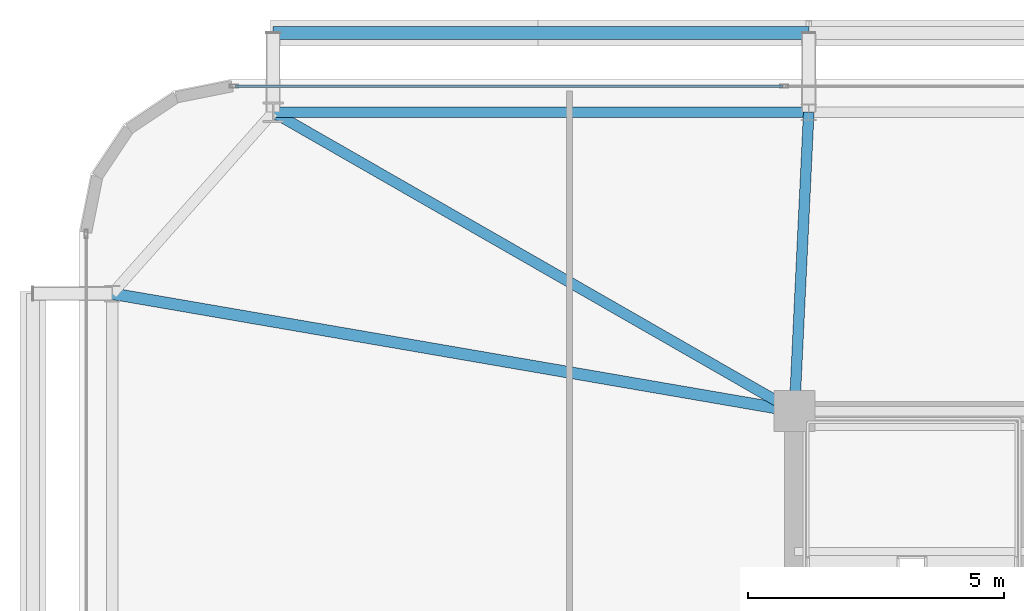
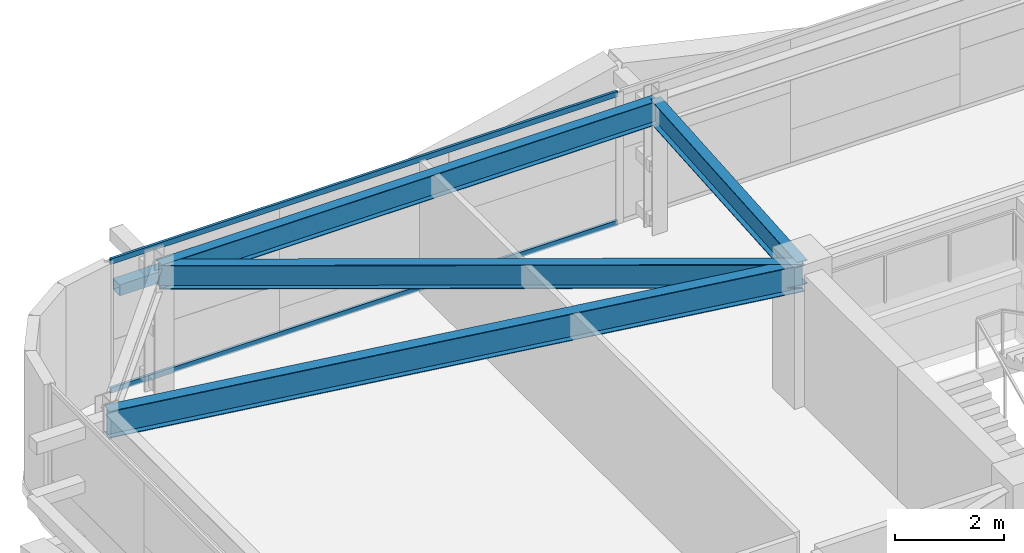
# One storey, part 22 of 44: 4 beams, 3 members, 1 element without a shape of its own.
"""IFC4 building model written with IfcOpenShell, lengths in metres."""

from ifc_helpers import new_model, si_unit, direction, frame, origin, origin_2d, place, context, subcontext, project, spatial, hollow_rectangle, i_section, extrude, source, transform, mapped, material, layer, layer_set, material_profile, profile_set, type_object, element, aggregate, save


model = new_model("IFC4")

# Units and contexts
model_context = context("Model", 3, precision=1e-05, world=origin(), true_north=direction((0.0, 1.0)))
body_context = subcontext(model_context, "Body", "Model", "MODEL_VIEW")
ifc_project = project(units=[si_unit("LENGTHUNIT", "METRE"), si_unit("AREAUNIT", "SQUARE_METRE"), si_unit("VOLUMEUNIT", "CUBIC_METRE"), si_unit("PLANEANGLEUNIT", "RADIAN"), si_unit("MASSUNIT", "GRAM", prefix="KILO")], contexts=[model_context])

# Site, building, storey
site_placement = place(None, origin())
site = spatial("IfcSite", under=ifc_project, at=site_placement, CompositionType="ELEMENT")
building_placement = place(site_placement, origin())
building = spatial("IfcBuilding", under=site, at=building_placement, Name="Taldren Reach Tower", CompositionType="ELEMENT")
storey_placement = place(building_placement, frame((0.0, 0.0, 42.0)))
storey = spatial("IfcBuildingStorey", under=building, at=storey_placement, Name="L12", CompositionType="ELEMENT", Elevation=42.0)

# Beams
ifc_material_1 = material(Name="Steel Gr 350 (350PLUS)", Category="steel")
ifc_material_profile_1 = material_profile(ifc_material_1, i_section(OverallWidth=0.208984375, OverallDepth=0.528076171875, WebThickness=0.009521484375, FlangeThickness=0.01318359375, at=origin_2d()), Name="530UB82.0")
ifc_profile_set_1 = profile_set([ifc_material_profile_1], Name="Steel Gr 350 (350PLUS)")
beam_type_1 = type_object("IfcBeamType", Name="SP-UB530B", PredefinedType="SPANDREL", material=ifc_profile_set_1)
shared_shape_1 = source(origin(), body_context, "Body", "SweptSolid", [
    extrude(i_section(OverallWidth=0.208984375, OverallDepth=0.528076171875, WebThickness=0.009521484375, FlangeThickness=0.01318359375, at=origin_2d()), origin(), (0.0, 0.0, 1.0), 10.47998046875),
])
beam_1_placement = place(storey_placement, frame((19.280029296875, 37.85009765625, 2.666015625), z_axis=(-1.0, 0.0, 0.0), x_axis=(0.0, -1.0, 0.0)))
element("IfcBeam", 1, at=beam_1_placement, inside=storey, type_object=beam_type_1, Name="Perimeter spandrel B1 N2-N1 L12", PredefinedType="SPANDREL", context=body_context, shape_type="MappedRepresentation", body=[
    mapped(shared_shape_1, transform((0.0, 0.0, 0.0), scale=1.0)),
])
ifc_material_profile_2 = material_profile(ifc_material_1, i_section(OverallWidth=0.22802734375, OverallDepth=0.60205078125, WebThickness=0.010498046875, FlangeThickness=0.014892578125, at=origin_2d()), Name="610UB101")
ifc_profile_set_2 = profile_set([ifc_material_profile_2], Name="Steel Gr 350 (350PLUS)")
beam_type_2 = type_object("IfcBeamType", Name="BM-UB610B", PredefinedType="BEAM", material=ifc_profile_set_2)
shared_shape_2 = source(origin(), body_context, "Body", "SweptSolid", [
    extrude(i_section(OverallWidth=0.22802734375, OverallDepth=0.60205078125, WebThickness=0.010498046875, FlangeThickness=0.014892578125, at=origin_2d()), origin(), (0.0, 0.0, 1.0), 13.546875),
])
beam_2_placement = place(storey_placement, frame((19.0, 32.0, 2.62890625), z_axis=(-0.985481022998, 0.169785609847, 0.0), x_axis=(-0.169785609847, -0.985481022998, 0.0)))
element("IfcBeam", 2, at=beam_2_placement, inside=storey, type_object=beam_type_2, Name="Primary floor girder B1-W3 L12", PredefinedType="BEAM", context=body_context, shape_type="MappedRepresentation", body=[
    mapped(shared_shape_2, transform((0.0, 0.0, 0.0), scale=1.0)),
])
ifc_material_profile_3 = material_profile(ifc_material_1, i_section(OverallWidth=0.208984375, OverallDepth=0.532958984375, WebThickness=0.01025390625, FlangeThickness=0.015625, at=origin_2d()), Name="530UB92.4")
ifc_profile_set_3 = profile_set([ifc_material_profile_3], Name="Steel Gr 350 (350PLUS)")
beam_type_3 = type_object("IfcBeamType", Name="BM-UB530A", PredefinedType="BEAM", material=ifc_profile_set_3)
shared_shape_3 = source(origin(), body_context, "Body", "SweptSolid", [
    extrude(i_section(OverallWidth=0.208984375, OverallDepth=0.532958984375, WebThickness=0.01025390625, FlangeThickness=0.015625, at=origin_2d()), origin(), (0.0, 0.0, 1.0), 11.758544921875),
])
beam_3_placement = place(storey_placement, frame((19.0, 32.0, 2.66357421875), z_axis=(-0.867452414141, 0.497520159593, 0.0), x_axis=(-0.497520159593, -0.867452414141, 0.0)))
element("IfcBeam", 3, at=beam_3_placement, inside=storey, type_object=beam_type_3, Name="Primary floor girder B1-N1 L12", PredefinedType="BEAM", context=body_context, shape_type="MappedRepresentation", body=[
    mapped(shared_shape_3, transform((0.0, 0.0, 0.0), scale=1.0)),
])
shared_shape_4 = source(origin(), body_context, "Body", "SweptSolid", [
    extrude(i_section(OverallWidth=0.208984375, OverallDepth=0.532958984375, WebThickness=0.01025390625, FlangeThickness=0.015625, at=origin_2d()), origin(), (0.0, 0.0, 1.0), 5.856689453125),
])
beam_4_placement = place(storey_placement, frame((19.0, 32.0, 2.66357421875), z_axis=(0.047812711672, 0.998856318297, 0.0), x_axis=(-0.998856318297, 0.047812711672, 0.0)))
element("IfcBeam", 4, at=beam_4_placement, inside=storey, type_object=beam_type_3, Name="Primary floor girder B1-N2 L12", PredefinedType="BEAM", context=body_context, shape_type="MappedRepresentation", body=[
    mapped(shared_shape_4, transform((0.0, 0.0, 0.0), scale=1.0)),
])

# Member
ifc_material_2 = material(Name="Steel Gr 350 (C350L0)", Category="steel")
ifc_material_profile_4 = material_profile(ifc_material_2, hollow_rectangle(XDim=0.25, YDim=0.25, WallThickness=0.010009765625, at=origin_2d()), Name="250x250x10.0SHS")
ifc_profile_set_4 = profile_set([ifc_material_profile_4], Name="Steel Gr 350 (C350L0)")
member_type_1 = type_object("IfcMemberType", Name="MB-POST250", PredefinedType="POST", material=ifc_profile_set_4)
shared_shape_5 = source(origin(), body_context, "Body", "SweptSolid", [
    extrude(hollow_rectangle(XDim=0.25, YDim=0.25, WallThickness=0.010009765625, at=origin_2d()), origin(), (0.0, 0.0, 1.0), 10.47998046875),
])
member_1_placement = place(storey_placement, frame((8.800048828125, 39.39990234375, 1.43505859375), z_axis=(1.0, 0.0, 0.0), x_axis=(0.0, 1.0, 0.0)))
element("IfcMember", 5, at=member_1_placement, inside=storey, type_object=member_type_1, Name="Exoskeleton mid-height ring chord B1-N1 L12", PredefinedType="POST", context=body_context, shape_type="MappedRepresentation", body=[
    mapped(shared_shape_5, transform((0.0, 0.0, 0.0), scale=1.0)),
])

# Curtain wall, members
ifc_material_3 = material(Name="Aluminium and Low-E Glass Unitised System", Category="aluminium")
ifc_layer = layer(ifc_material_3, 0.159912109375)
ifc_layer_set = layer_set([ifc_layer], Name="Aluminium and Low-E Glass Unitised System")
curtain_wall_type = type_object("IfcCurtainWallType", Name="CW-SYS-2", PredefinedType="NOTDEFINED", material=ifc_layer_set)
curtain_wall_placement = place(storey_placement, origin())
curtain_wall = element("IfcCurtainWall", 6, at=curtain_wall_placement, inside=storey, type_object=curtain_wall_type, Name="Unitised curtain wall CW-L12-N", PredefinedType="NOTDEFINED")
ifc_material_4 = material(Name="Anodised Aluminium 6063-T6", Category="aluminium")
ifc_material_profile_5 = material_profile(ifc_material_4, hollow_rectangle(XDim=0.054931640625, YDim=0.1201171875, WallThickness=0.0029296875, at=origin_2d()), Name="ALU-120x55x3RHS")
ifc_profile_set_5 = profile_set([ifc_material_profile_5], Name="Anodised Aluminium 6063-T6")
member_type_2 = type_object("IfcMemberType", Name="CW-TRN-135", PredefinedType="USERDEFINED", material=ifc_profile_set_5)
shared_shape_6 = source(origin(), body_context, "Body", "SweptSolid", [
    extrude(hollow_rectangle(XDim=0.054931640625, YDim=0.1201171875, WallThickness=0.0029296875, at=origin_2d()), origin(), (0.0, 0.0, 1.0), 10.70263671875),
])
member_2_placement = place(storey_placement, frame((18.767578125, 38.360107421875, 0.027587890625), z_axis=(-1.0, 0.0, 0.0), x_axis=(0.0, -1.0, 0.0)))
member_2 = element("IfcMember", 7, at=member_2_placement, type_object=member_type_2, Name="CW-2 transom 5.1", ObjectType="TRANSOM", PredefinedType="USERDEFINED", context=body_context, shape_type="MappedRepresentation", body=[
    mapped(shared_shape_6, transform((0.0, 0.0, 0.0), scale=1.0)),
])
member_3_placement = place(storey_placement, frame((18.767578125, 38.360107421875, 2.902587890625), z_axis=(-1.0, 0.0, 0.0), x_axis=(0.0, -1.0, 0.0)))
member_3 = element("IfcMember", 8, at=member_3_placement, type_object=member_type_2, Name="CW-2 transom 5.2", ObjectType="TRANSOM", PredefinedType="USERDEFINED", context=body_context, shape_type="MappedRepresentation", body=[
    mapped(shared_shape_6, transform((0.0, 0.0, 0.0), scale=1.0)),
])
aggregate(curtain_wall, [member_2, member_3])

save(model, "model.ifc")
